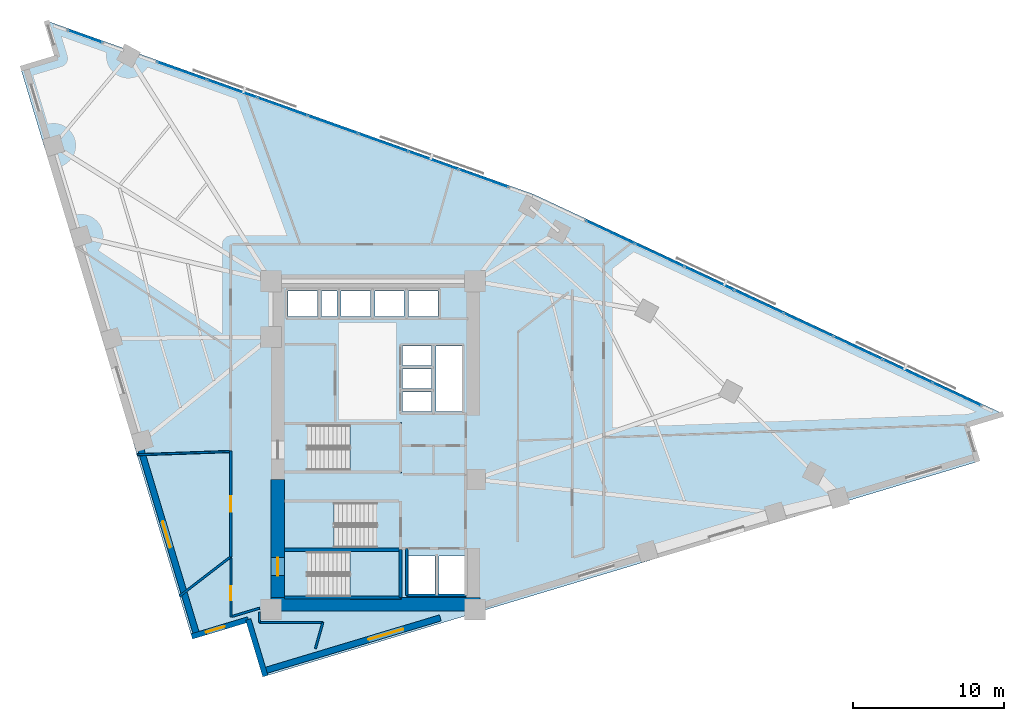
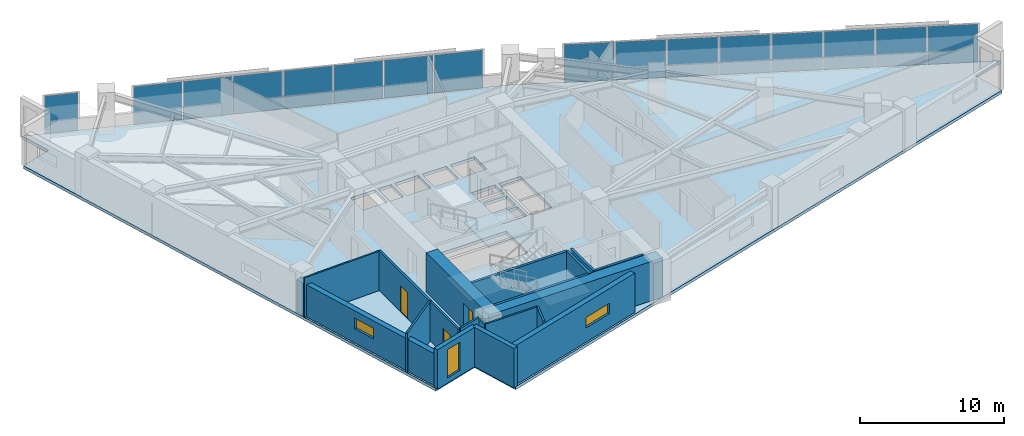
# One storey, part 9 of 15: 19 walls, 16 plates, 4 slabs, 3 doors, 3 windows, 6 openings, 6 elements without a shape of their own.
"""IFC4 building model written with IfcOpenShell, lengths in metres."""

import ifcopenshell
import ifcopenshell.guid

model = None  # the IFC model being written
_history = None  # IfcOwnerHistory: only IFC2X3 demands one
_inside = {}  # id of a spatial element -> (the spatial element, [elements in it])
_under = {}  # id of a project, library or spatial element -> (it, [spatial elements below it])
_declared = {}  # id of a project -> (the project, [libraries it declares])
_typed = {}  # id of a type object -> (the type object, [elements of that type])
_made_of = {}  # id of a material, layer set ... -> (it, [elements and type objects made of it])


def new_model(schema):
    """Start an empty IFC model of exactly this schema.

    Asked for "IFC4X3", IfcOpenShell would pick the latest addendum, in which some entities
    have other attributes; the version numbers below select the first issue.
    IFC2X3 requires an IfcOwnerHistory on every rooted entity: one is made here for all.
    """
    global model, _history
    if schema == "IFC4X3":
        model = ifcopenshell.file(schema_version=(4, 3, 0, 0))
    else:
        model = ifcopenshell.file(schema=schema)
    _inside.clear()
    _under.clear()
    _declared.clear()
    _typed.clear()
    _made_of.clear()
    _history = None
    if model.schema == "IFC2X3":
        org = make("IfcOrganization", Name="unknown")
        user = make(
            "IfcPersonAndOrganization",
            ThePerson=make("IfcPerson", FamilyName="unknown"),
            TheOrganization=org,
        )
        app = make(
            "IfcApplication",
            ApplicationDeveloper=org,
            Version="unknown",
            ApplicationFullName="unknown",
            ApplicationIdentifier="unknown",
        )
        _history = make(
            "IfcOwnerHistory",
            OwningUser=user,
            OwningApplication=app,
            ChangeAction="ADDED",
            CreationDate=0,
        )
    return model


def make(cls, **values):
    """One entity of the class cls with the attributes given. An attribute that is None is left unset."""
    return model.create_entity(
        cls, **{name: value for name, value in values.items() if value is not None}
    )


def rooted(cls, **values):
    """An entity with a GlobalId (a new one), such as an element, a storey or a relation."""
    return make(cls, GlobalId=ifcopenshell.guid.new(), OwnerHistory=_history, **values)


def si_unit(unit_type, name, prefix=None):
    """IfcSIUnit, for example si_unit("LENGTHUNIT", "METRE", prefix="MILLI")."""
    return make("IfcSIUnit", UnitType=unit_type, Prefix=prefix, Name=name)


def assignment(units):
    """IfcUnitAssignment: the units of a project."""
    return None if units is None else make("IfcUnitAssignment", Units=units)


def point(xyz):
    """IfcCartesianPoint."""
    return None if xyz is None else make("IfcCartesianPoint", Coordinates=xyz)


def direction(xyz):
    """IfcDirection."""
    return None if xyz is None else make("IfcDirection", DirectionRatios=xyz)


def frame(location, z_axis=None, x_axis=None):
    """IfcAxis2Placement3D, a coordinate frame: its origin and axes. An axis left out is left unset."""
    return make(
        "IfcAxis2Placement3D",
        Location=point(location),
        Axis=direction(z_axis),
        RefDirection=direction(x_axis),
    )


def frame_2d(location, x_axis=None):
    """IfcAxis2Placement2D, a coordinate frame in the plane: its origin and x axis."""
    return make(
        "IfcAxis2Placement2D", Location=point(location), RefDirection=direction(x_axis)
    )


def origin():
    """The frame at (0, 0, 0) with its axes left unset."""
    return frame((0.0, 0.0, 0.0))


def origin_2d():
    """The frame at (0, 0) in the plane with its x axis left unset."""
    return frame_2d((0.0, 0.0))


def place(relative_to, where):
    """IfcLocalPlacement: puts the frame where relative to a parent placement (None: the world)."""
    return make(
        "IfcLocalPlacement", PlacementRelTo=relative_to, RelativePlacement=where
    )


def context(
    kind, dimensions, precision=None, world=None, true_north=None, identifier=None
):
    """IfcGeometricRepresentationContext, for example the 3D "Model" context."""
    return make(
        "IfcGeometricRepresentationContext",
        ContextIdentifier=identifier,
        ContextType=kind,
        CoordinateSpaceDimension=dimensions,
        Precision=precision,
        WorldCoordinateSystem=world,
        TrueNorth=true_north,
    )


def subcontext(parent, identifier, kind, view, scale=None):
    """IfcGeometricRepresentationSubContext, for example "Body" below "Model"."""
    return make(
        "IfcGeometricRepresentationSubContext",
        ContextIdentifier=identifier,
        ContextType=kind,
        ParentContext=parent,
        TargetScale=scale,
        TargetView=view,
    )


def project(units=None, contexts=None):
    """IfcProject with its units and contexts."""
    return rooted(
        "IfcProject",
        Name="project",
        RepresentationContexts=contexts,
        UnitsInContext=assignment(units),
    )


def spatial(cls, under=None, at=None, **own):
    """A site, building, storey or space (cls), placed at a placement, below another one or the project."""
    s = rooted(cls, ObjectPlacement=at, **own)
    if under is not None:
        _under.setdefault(under.id(), (under, []))[1].append(s)
    return s


def polyline(points):
    """IfcPolyline through the points."""
    return make("IfcPolyline", Points=[point(p) for p in points])


def profile(cls, at=None, kind="AREA", **sizes):
    """A parametric profile (cls). Its sizes go by their IFC names, for example OverallWidth=200.0."""
    return make(cls, ProfileType=kind, Position=at, **sizes)


def rectangle(**sizes):
    """IfcRectangleProfileDef."""
    return profile("IfcRectangleProfileDef", **sizes)


def outline(outer, holes=None, kind="AREA"):
    """IfcArbitraryClosedProfileDef: a profile drawn as a closed curve; with holes, ...WithVoids."""
    if holes is None:
        return make("IfcArbitraryClosedProfileDef", ProfileType=kind, OuterCurve=outer)
    return make(
        "IfcArbitraryProfileDefWithVoids",
        ProfileType=kind,
        OuterCurve=outer,
        InnerCurves=holes,
    )


def extrude(swept, where, along, depth):
    """IfcExtrudedAreaSolid: the profile swept, set in the frame where, extruded along a direction by depth."""
    return make(
        "IfcExtrudedAreaSolid",
        SweptArea=swept,
        Position=where,
        ExtrudedDirection=direction(along),
        Depth=depth,
    )


def shape(context_of_items, identifier, shape_type, items):
    """IfcShapeRepresentation: the items that make up one representation, for example the "Body"."""
    return make(
        "IfcShapeRepresentation",
        ContextOfItems=context_of_items,
        RepresentationIdentifier=identifier,
        RepresentationType=shape_type,
        Items=items,
    )


def material(Name=None, Category=None):
    """IfcMaterial."""
    return make("IfcMaterial", Name=Name, Category=Category)


def layer(
    of_material, thickness, ventilated=None, Name=None, Category=None, Priority=None
):
    """IfcMaterialLayer: one layer of a wall or slab, of a material (None: an air gap)."""
    return make(
        "IfcMaterialLayer",
        Material=of_material,
        LayerThickness=thickness,
        IsVentilated=ventilated,
        Name=Name,
        Category=Category,
        Priority=Priority,
    )


def layer_set(layers, Name=None):
    """IfcMaterialLayerSet."""
    return make("IfcMaterialLayerSet", MaterialLayers=layers, LayerSetName=Name)


def made_of(thing, what):
    """Note that an element or type object is made of a material, layer set ...; save() writes the relation."""
    if what is not None:
        _made_of.setdefault(what.id(), (what, []))[1].append(thing)
    return thing


def type_object(cls, material=None, **own):
    """A type object (cls), such as IfcWallType, which elements share."""
    return made_of(rooted(cls, **own), material)


def element(
    cls,
    number,
    at=None,
    inside=None,
    cuts=None,
    type_object=None,
    material=None,
    context=None,
    identifier="Body",
    shape_type=None,
    held_by="IfcProductDefinitionShape",
    body=None,
    shapes=None,
    **own,
):
    """One element of the class cls, such as IfcWall. Its Tag is "e" and its number.

    at: its placement. inside: the storey or other place that contains it. cuts: it is an
    opening in that element (IfcRelVoidsElement). A single representation is given by context,
    identifier, shape_type and body (its items); several are given by shapes. held_by: the class
    of the entity that holds the representations. save() writes the other relations.
    """
    e = rooted(cls, Tag="e%d" % number, ObjectPlacement=at, **own)
    if body is not None:
        shapes = [shape(context, identifier, shape_type, body)]
    if shapes is not None:
        e.Representation = make(held_by, Representations=shapes)
    if inside is not None:
        _inside.setdefault(inside.id(), (inside, []))[1].append(e)
    if cuts is not None:
        rooted(
            "IfcRelVoidsElement", RelatingBuildingElement=cuts, RelatedOpeningElement=e
        )
    if type_object is not None:
        _typed.setdefault(type_object.id(), (type_object, []))[1].append(e)
    return made_of(e, material)


def fill(opening, filler):
    """IfcRelFillsElement: the door or window that sits in an opening."""
    return rooted(
        "IfcRelFillsElement",
        RelatingOpeningElement=opening,
        RelatedBuildingElement=filler,
    )


def aggregate(whole, parts):
    """IfcRelAggregates: a whole, such as a stair, and the parts it consists of."""
    return rooted("IfcRelAggregates", RelatingObject=whole, RelatedObjects=parts)


def save(model, path):
    """Write the relations noted so far, then the file.

    IfcRelAggregates (storeys below a building ...), IfcRelContainedInSpatialStructure (elements
    in a storey), IfcRelDefinesByType, IfcRelAssociatesMaterial and IfcRelDeclares: one each for
    every whole, place, type object, material and project.
    """
    for whole, parts in _under.values():
        aggregate(whole, parts)
    for where, things in _inside.values():
        rooted(
            "IfcRelContainedInSpatialStructure",
            RelatedElements=things,
            RelatingStructure=where,
        )
    for kind, things in _typed.values():
        rooted("IfcRelDefinesByType", RelatedObjects=things, RelatingType=kind)
    for what, things in _made_of.values():
        rooted("IfcRelAssociatesMaterial", RelatedObjects=things, RelatingMaterial=what)
    for by, libraries in _declared.values():
        rooted("IfcRelDeclares", RelatingContext=by, RelatedDefinitions=libraries)
    model.write(path)


model = new_model("IFC4")

# Units and contexts
model_context = context("Model", 3, precision=1e-05, world=origin(), true_north=direction((0.0, 1.0)))
body_context = subcontext(model_context, "Body", "Model", "MODEL_VIEW")
ifc_project = project(units=[si_unit("LENGTHUNIT", "METRE"), si_unit("AREAUNIT", "SQUARE_METRE"), si_unit("VOLUMEUNIT", "CUBIC_METRE"), si_unit("PLANEANGLEUNIT", "RADIAN"), si_unit("MASSUNIT", "GRAM", prefix="KILO")], contexts=[model_context])

# Site, building, storey
site_placement = place(None, origin())
site = spatial("IfcSite", under=ifc_project, at=site_placement, CompositionType="ELEMENT")
building_placement = place(site_placement, origin())
building = spatial("IfcBuilding", under=site, at=building_placement, Name="Narakoshi Arena Tower", CompositionType="ELEMENT")
storey_placement = place(building_placement, frame((0.0, 0.0, 143.10009765625)))
storey = spatial("IfcBuildingStorey", under=building, at=storey_placement, Name="L38", CompositionType="ELEMENT", Elevation=143.10009765625)

# Curtain wall, plates
ifc_material_1 = material(Name="Anodised bronze aluminium 6063-T6", Category="aluminium")
curtain_wall_type = type_object("IfcCurtainWallType", Name="CW-HYP-MID", PredefinedType="NOTDEFINED", material=ifc_material_1)
curtain_wall_1_placement = place(storey_placement, origin())
curtain_wall_1 = element("IfcCurtainWall", 1, at=curtain_wall_1_placement, inside=storey, type_object=curtain_wall_type, Name="L38 Folded Hypotenuse Curtain Wall 1-1", PredefinedType="NOTDEFINED")
ifc_material_2 = material(Name="Bronze-tinted low-E laminated glass", Category="glass")
ifc_layer_1 = layer(ifc_material_2, 0.0380859375)
ifc_layer_set_1 = layer_set([ifc_layer_1], Name="Bronze-tinted low-E laminated glass")
plate_type = type_object("IfcPlateType", Name="PLT-GLZ-38", PredefinedType="CURTAIN_PANEL", material=ifc_layer_set_1)
plate_1_placement = place(storey_placement, frame((117.545166015625, 49.0, 0.06494140625), z_axis=(0.0, 0.0, 1.0), x_axis=(-0.905881273009, 0.423531721612, 0.0)))
plate_1 = element("IfcPlate", 2, at=plate_1_placement, type_object=plate_type, Name="CW-02 panel 1.1", PredefinedType="CURTAIN_PANEL", context=body_context, shape_type="SweptSolid", body=[
    extrude(rectangle(XDim=3.52099609375, YDim=0.0380859375, at=origin_2d()), origin(), (0.0, 0.0, 1.0), 3.2099609375),
])
plate_2_placement = place(storey_placement, frame((114.270751953125, 50.531005859375, 0.06494140625), z_axis=(0.0, 0.0, 1.0), x_axis=(-0.905881273009, 0.423531721612, 0.0)))
plate_2 = element("IfcPlate", 3, at=plate_2_placement, type_object=plate_type, Name="CW-02 panel 2.1", PredefinedType="CURTAIN_PANEL", context=body_context, shape_type="SweptSolid", body=[
    extrude(rectangle(XDim=3.558349609375, YDim=0.0380859375, at=origin_2d()), origin(), (0.0, 0.0, 1.0), 3.2099609375),
])
plate_3_placement = place(storey_placement, frame((110.979248046875, 52.06982421875, 0.06494140625), z_axis=(0.0, 0.0, 1.0), x_axis=(-0.905881273009, 0.423531721612, 0.0)))
plate_3 = element("IfcPlate", 4, at=plate_3_placement, type_object=plate_type, Name="CW-02 panel 3.1", PredefinedType="CURTAIN_PANEL", context=body_context, shape_type="SweptSolid", body=[
    extrude(rectangle(XDim=3.558349609375, YDim=0.0380859375, at=origin_2d()), origin(), (0.0, 0.0, 1.0), 3.2099609375),
])
plate_4_placement = place(storey_placement, frame((107.687744140625, 53.60888671875, 0.06494140625), z_axis=(0.0, 0.0, 1.0), x_axis=(-0.905881273009, 0.423531721612, 0.0)))
plate_4 = element("IfcPlate", 5, at=plate_4_placement, type_object=plate_type, Name="CW-02 panel 4.1", PredefinedType="CURTAIN_PANEL", context=body_context, shape_type="SweptSolid", body=[
    extrude(rectangle(XDim=3.558349609375, YDim=0.0380859375, at=origin_2d()), origin(), (0.0, 0.0, 1.0), 3.2099609375),
])
plate_5_placement = place(storey_placement, frame((104.396240234375, 55.147705078125, 0.06494140625), z_axis=(0.0, 0.0, 1.0), x_axis=(-0.905881273009, 0.423531721612, 0.0)))
plate_5 = element("IfcPlate", 6, at=plate_5_placement, type_object=plate_type, Name="CW-02 panel 5.1", PredefinedType="CURTAIN_PANEL", context=body_context, shape_type="SweptSolid", body=[
    extrude(rectangle(XDim=3.558349609375, YDim=0.0380859375, at=origin_2d()), origin(), (0.0, 0.0, 1.0), 3.2099609375),
])
plate_6_placement = place(storey_placement, frame((101.104736328125, 56.6865234375, 0.06494140625), z_axis=(0.0, 0.0, 1.0), x_axis=(-0.905881273009, 0.423531721612, 0.0)))
plate_6 = element("IfcPlate", 7, at=plate_6_placement, type_object=plate_type, Name="CW-02 panel 6.1", PredefinedType="CURTAIN_PANEL", context=body_context, shape_type="SweptSolid", body=[
    extrude(rectangle(XDim=3.558349609375, YDim=0.0380859375, at=origin_2d()), origin(), (0.0, 0.0, 1.0), 3.2099609375),
])
plate_7_placement = place(storey_placement, frame((97.813232421875, 58.2255859375, 0.06494140625), z_axis=(0.0, 0.0, 1.0), x_axis=(-0.905881273009, 0.423531721612, 0.0)))
plate_7 = element("IfcPlate", 8, at=plate_7_placement, type_object=plate_type, Name="CW-02 panel 7.1", PredefinedType="CURTAIN_PANEL", context=body_context, shape_type="SweptSolid", body=[
    extrude(rectangle(XDim=3.558349609375, YDim=0.0380859375, at=origin_2d()), origin(), (0.0, 0.0, 1.0), 3.2099609375),
])
plate_8_placement = place(storey_placement, frame((94.538818359375, 59.75634765625, 0.06494140625), z_axis=(0.0, 0.0, 1.0), x_axis=(-0.905881273009, 0.423531721612, 0.0)))
plate_8 = element("IfcPlate", 9, at=plate_8_placement, type_object=plate_type, Name="CW-02 panel 8.1", PredefinedType="CURTAIN_PANEL", context=body_context, shape_type="SweptSolid", body=[
    extrude(rectangle(XDim=3.52099609375, YDim=0.0380859375, at=origin_2d()), origin(), (0.0, 0.0, 1.0), 3.2099609375),
])
aggregate(curtain_wall_1, [plate_1, plate_2, plate_3, plate_4, plate_5, plate_6, plate_7, plate_8])

curtain_wall_2_placement = place(storey_placement, origin())
curtain_wall_2 = element("IfcCurtainWall", 10, at=curtain_wall_2_placement, inside=storey, type_object=curtain_wall_type, Name="L38 Folded Hypotenuse Curtain Wall 2-1", PredefinedType="NOTDEFINED")
plate_9_placement = place(storey_placement, frame((86.125244140625, 63.327880859375, 0.06494140625), z_axis=(0.0, 0.0, 1.0), x_axis=(-0.94203368957, 0.335518297139, 0.0)))
plate_9 = element("IfcPlate", 11, at=plate_9_placement, type_object=plate_type, Name="CW-02 panel 1.1", PredefinedType="CURTAIN_PANEL", context=body_context, shape_type="SweptSolid", body=[
    extrude(rectangle(XDim=3.437744140625, YDim=0.0380859375, at=origin_2d()), origin(), (0.0, 0.0, 1.0), 3.2099609375),
])
plate_10_placement = place(storey_placement, frame((82.79833984375, 64.512939453125, 0.06494140625), z_axis=(0.0, 0.0, 1.0), x_axis=(-0.94203368957, 0.335518297139, 0.0)))
plate_10 = element("IfcPlate", 12, at=plate_10_placement, type_object=plate_type, Name="CW-02 panel 2.1", PredefinedType="CURTAIN_PANEL", context=body_context, shape_type="SweptSolid", body=[
    extrude(rectangle(XDim=3.475341796875, YDim=0.0380859375, at=origin_2d()), origin(), (0.0, 0.0, 1.0), 3.2099609375),
])
plate_11_placement = place(storey_placement, frame((79.453857421875, 65.7041015625, 0.06494140625), z_axis=(0.0, 0.0, 1.0), x_axis=(-0.94203368957, 0.335518297139, 0.0)))
plate_11 = element("IfcPlate", 13, at=plate_11_placement, type_object=plate_type, Name="CW-02 panel 3.1", PredefinedType="CURTAIN_PANEL", context=body_context, shape_type="SweptSolid", body=[
    extrude(rectangle(XDim=3.475341796875, YDim=0.0380859375, at=origin_2d()), origin(), (0.0, 0.0, 1.0), 3.2099609375),
])
plate_12_placement = place(storey_placement, frame((76.109130859375, 66.895263671875, 0.06494140625), z_axis=(0.0, 0.0, 1.0), x_axis=(-0.94203368957, 0.335518297139, 0.0)))
plate_12 = element("IfcPlate", 14, at=plate_12_placement, type_object=plate_type, Name="CW-02 panel 4.1", PredefinedType="CURTAIN_PANEL", context=body_context, shape_type="SweptSolid", body=[
    extrude(rectangle(XDim=3.475341796875, YDim=0.0380859375, at=origin_2d()), origin(), (0.0, 0.0, 1.0), 3.2099609375),
])
plate_13_placement = place(storey_placement, frame((72.7646484375, 68.08642578125, 0.06494140625), z_axis=(0.0, 0.0, 1.0), x_axis=(-0.94203368957, 0.335518297139, 0.0)))
plate_13 = element("IfcPlate", 15, at=plate_13_placement, type_object=plate_type, Name="CW-02 panel 5.1", PredefinedType="CURTAIN_PANEL", context=body_context, shape_type="SweptSolid", body=[
    extrude(rectangle(XDim=3.475341796875, YDim=0.0380859375, at=origin_2d()), origin(), (0.0, 0.0, 1.0), 3.2099609375),
])
plate_14_placement = place(storey_placement, frame((69.420166015625, 69.277587890625, 0.06494140625), z_axis=(0.0, 0.0, 1.0), x_axis=(-0.94203368957, 0.335518297139, 0.0)))
plate_14 = element("IfcPlate", 16, at=plate_14_placement, type_object=plate_type, Name="CW-02 panel 6.1", PredefinedType="CURTAIN_PANEL", context=body_context, shape_type="SweptSolid", body=[
    extrude(rectangle(XDim=3.475341796875, YDim=0.0380859375, at=origin_2d()), origin(), (0.0, 0.0, 1.0), 3.2099609375),
])
plate_15_placement = place(storey_placement, frame((66.09326171875, 70.462646484375, 0.06494140625), z_axis=(0.0, 0.0, 1.0), x_axis=(-0.94203368957, 0.335518297139, 0.0)))
plate_15 = element("IfcPlate", 17, at=plate_15_placement, type_object=plate_type, Name="CW-02 panel 7.1", PredefinedType="CURTAIN_PANEL", context=body_context, shape_type="SweptSolid", body=[
    extrude(rectangle(XDim=3.437744140625, YDim=0.0380859375, at=origin_2d()), origin(), (0.0, 0.0, 1.0), 3.2099609375),
])
aggregate(curtain_wall_2, [plate_9, plate_10, plate_11, plate_12, plate_13, plate_14, plate_15])

# Curtain wall, plate
curtain_wall_3_placement = place(storey_placement, origin())
curtain_wall_3 = element("IfcCurtainWall", 18, at=curtain_wall_3_placement, inside=storey, type_object=curtain_wall_type, Name="L38 Folded Hypotenuse Curtain Wall 2-2", PredefinedType="NOTDEFINED")
plate_16_placement = place(storey_placement, frame((59.671142578125, 72.75, 0.06494140625), z_axis=(0.0, 0.0, 1.0), x_axis=(-0.942025293591, 0.335541869571, 0.0)))
plate_16 = element("IfcPlate", 19, at=plate_16_placement, type_object=plate_type, Name="CW-02 panel 1.1", PredefinedType="CURTAIN_PANEL", context=body_context, shape_type="SweptSolid", body=[
    extrude(rectangle(XDim=2.3779296875, YDim=0.0380859375, at=origin_2d()), origin(), (0.0, 0.0, 1.0), 3.2099609375),
])
aggregate(curtain_wall_3, [plate_16])

# Stair, slab
ifc_material_3 = material(Name="Concrete C45/55", Category="concrete")
stair_type = type_object("IfcStairType", Name="STR-CORE-360", PredefinedType="TWO_STRAIGHT_RUN_STAIR", material=ifc_material_3)
stair_1_placement = place(storey_placement, origin())
stair_1 = element("IfcStair", 20, at=stair_1_placement, inside=storey, type_object=stair_type, Name="L38 Core Escape Stair ST1", PredefinedType="TWO_STRAIGHT_RUN_STAIR")
ifc_layer_2 = layer(ifc_material_3, 0.18994140625)
ifc_layer_set_2 = layer_set([ifc_layer_2], Name="Concrete C45/55")
slab_type_1 = type_object("IfcSlabType", Name="SLB-LND-190", PredefinedType="LANDING", material=ifc_layer_set_2)
slab_1_placement = place(storey_placement, frame((0.0, 0.0, 1.60986328125)))
slab_1 = element("IfcSlab", 21, at=slab_1_placement, type_object=slab_type_1, Name="ST1 landing 1", PredefinedType="LANDING", context=body_context, shape_type="SweptSolid", body=[
    extrude(outline(polyline([(77.25, 35.3701171875), (80.679931640625, 35.3701171875), (80.679931640625, 38.72998046875), (77.25, 38.72998046875), (77.25, 35.3701171875)])), origin(), (0.0, 0.0, 1.0), 0.18994140625),
])
aggregate(stair_1, [slab_1])

stair_2_placement = place(storey_placement, origin())
stair_2 = element("IfcStair", 22, at=stair_2_placement, inside=storey, type_object=stair_type, Name="L38 Core Escape Stair ST2", PredefinedType="TWO_STRAIGHT_RUN_STAIR")
slab_2_placement = place(storey_placement, frame((0.0, 0.0, 1.60986328125)))
slab_2 = element("IfcSlab", 23, at=slab_2_placement, type_object=slab_type_1, Name="ST2 landing 1", PredefinedType="LANDING", context=body_context, shape_type="SweptSolid", body=[
    extrude(outline(polyline([(72.77001953125, 38.6201171875), (76.199951171875, 38.6201171875), (76.199951171875, 41.97998046875), (72.77001953125, 41.97998046875), (72.77001953125, 38.6201171875)])), origin(), (0.0, 0.0, 1.0), 0.18994140625),
])
aggregate(stair_2, [slab_2])

stair_3_placement = place(storey_placement, origin())
stair_3 = element("IfcStair", 24, at=stair_3_placement, inside=storey, type_object=stair_type, Name="L38 Core Escape Stair ST3", PredefinedType="TWO_STRAIGHT_RUN_STAIR")
slab_3_placement = place(storey_placement, frame((0.0, 0.0, 1.60986328125)))
slab_3 = element("IfcSlab", 25, at=slab_3_placement, type_object=slab_type_1, Name="ST3 landing 1", PredefinedType="LANDING", context=body_context, shape_type="SweptSolid", body=[
    extrude(outline(polyline([(77.25, 43.77001953125), (80.679931640625, 43.77001953125), (80.679931640625, 47.1298828125), (77.25, 47.1298828125), (77.25, 43.77001953125)])), origin(), (0.0, 0.0, 1.0), 0.18994140625),
])
aggregate(stair_3, [slab_3])

# Slab
ifc_material_4 = material(Name="Concrete C50/60", Category="concrete")
ifc_layer_3 = layer(ifc_material_4, 0.260009765625)
ifc_layer_set_3 = layer_set([ifc_layer_3], Name="Concrete C50/60")
slab_type_2 = type_object("IfcSlabType", Name="SLB-SKY-260", PredefinedType="FLOOR", material=ifc_layer_set_3)
slab_4_placement = place(storey_placement, frame((0.0, 0.0, -0.260009765625)))
element("IfcSlab", 26, at=slab_4_placement, inside=storey, type_object=slab_type_2, Name="L38 Structural Floor Slab", PredefinedType="FLOOR", context=body_context, shape_type="SweptSolid", body=[
    extrude(outline(polyline([(71.635498046875, 30.28857421875), (118.908935546875, 44.51611328125), (118.17333984375, 46.96044921875), (120.61767578125, 47.696044921875), (89.422119140625, 62.281005859375), (57.107666015625, 73.790283203125), (57.84326171875, 71.34619140625), (55.39892578125, 70.610595703125), (66.743408203125, 32.917236328125), (70.50390625, 34.048828125), (71.635498046875, 30.28857421875)]), holes=[polyline([(80.5, 35.550048828125), (74.47998046875, 35.550048828125), (74.47998046875, 38.550048828125), (80.5, 38.550048828125), (80.5, 35.550048828125)]), polyline([(82.89990234375, 35.75), (81.14990234375, 35.75), (81.14990234375, 38.25), (82.89990234375, 38.25), (82.89990234375, 35.75)]), polyline([(83.14990234375, 35.75), (83.14990234375, 38.25), (84.89990234375, 38.25), (84.89990234375, 35.75), (83.14990234375, 35.75)]), polyline([(72.949951171875, 38.800048828125), (72.949951171875, 41.800048828125), (78.969970703125, 41.800048828125), (78.969970703125, 38.800048828125), (72.949951171875, 38.800048828125)]), polyline([(74.47998046875, 43.949951171875), (74.47998046875, 46.949951171875), (80.5, 46.949951171875), (80.5, 43.949951171875), (74.47998046875, 43.949951171875)]), polyline([(82.949951171875, 47.840087890625), (82.949951171875, 52.199951171875), (84.699951171875, 52.199951171875), (84.699951171875, 47.840087890625), (82.949951171875, 47.840087890625)]), polyline([(80.75, 47.85009765625), (80.75, 49.14990234375), (82.64990234375, 49.14990234375), (82.64990234375, 47.85009765625), (80.75, 47.85009765625)]), polyline([(80.75, 49.3701171875), (80.75, 50.669921875), (82.64990234375, 50.669921875), (82.64990234375, 49.3701171875), (80.75, 49.3701171875)]), polyline([(80.75, 50.889892578125), (80.75, 52.18994140625), (82.64990234375, 52.18994140625), (82.64990234375, 50.889892578125), (80.75, 50.889892578125)]), polyline([(73.14990234375, 54.14990234375), (73.14990234375, 55.85009765625), (75.10009765625, 55.85009765625), (75.10009765625, 54.14990234375), (73.14990234375, 54.14990234375)]), polyline([(75.35009765625, 54.14990234375), (75.35009765625, 55.85009765625), (76.39990234375, 55.85009765625), (76.39990234375, 54.14990234375), (75.35009765625, 54.14990234375)]), polyline([(76.64990234375, 54.14990234375), (76.64990234375, 55.85009765625), (78.60009765625, 55.85009765625), (78.60009765625, 54.14990234375), (76.64990234375, 54.14990234375)]), polyline([(78.89990234375, 54.14990234375), (78.89990234375, 55.85009765625), (80.85009765625, 55.85009765625), (80.85009765625, 54.14990234375), (78.89990234375, 54.14990234375)]), polyline([(81.14990234375, 54.14990234375), (81.14990234375, 55.85009765625), (83.10009765625, 55.85009765625), (83.10009765625, 54.14990234375), (81.14990234375, 54.14990234375)])]), origin(), (0.0, 0.0, 1.0), 0.260009765625),
])

# Wall, opening, door
ifc_material_5 = material(Name="Concrete C60/75", Category="concrete")
ifc_layer_4 = layer(ifc_material_5, 0.89990234375)
ifc_layer_set_4 = layer_set([ifc_layer_4], Name="Concrete C60/75")
wall_type_1 = type_object("IfcWallType", Name="WL-CORE-900", PredefinedType="SHEAR", material=ifc_layer_set_4)
wall_1_placement = place(storey_placement, frame((72.449951171875, 35.5, -0.260009765625), z_axis=(0.0, 0.0, 1.0), x_axis=(0.0, 1.0, 0.0)))
wall_1 = element("IfcWall", 27, at=wall_1_placement, inside=storey, type_object=wall_type_1, Name="L38 Central Core Shear Wall CW-APX-W", PredefinedType="SHEAR", context=body_context, shape_type="SweptSolid", body=[
    extrude(rectangle(XDim=7.85009765625, YDim=0.89990234375, at=frame_2d((3.925048828125, 0.0))), origin(), (0.0, 0.0, 1.0), 3.599853515625),
])
opening_1_placement = place(wall_1_placement, frame((1.449951171875, 0.0, 0.260009765625)))
opening_1 = element("IfcOpeningElement", 28, at=opening_1_placement, cuts=wall_1, Name="Opening D-03", PredefinedType="OPENING", context=body_context, shape_type="SweptSolid", body=[
    extrude(rectangle(XDim=1.199951171875, YDim=2.199951171875, at=frame_2d((0.60009765625, 1.10009765625))), frame((0.0, 0.4599609375, 0.0), z_axis=(0.0, -1.0, 0.0), x_axis=(1.0, 0.0, 0.0)), (0.0, 0.0, 1.0), 0.919921875),
])
ifc_material_6 = material(Name="Painted galvanized steel", Category="steel")
door_type_1 = type_object("IfcDoorType", Name="DR-STR-1200", OperationType="NOTDEFINED", PredefinedType="USERDEFINED", material=ifc_material_6)
door_1_placement = place(opening_1_placement, frame((1.199951171875, 0.0, 0.0), z_axis=(0.0, 0.0, 1.0), x_axis=(-1.0, 0.0, 0.0)))
door_1 = element("IfcDoor", 29, at=door_1_placement, inside=storey, type_object=door_type_1, Name="DR-L38-001", ObjectType="EXITDOOR", OperationType="SINGLE_SWING_LEFT", OverallHeight=2.199951171875, OverallWidth=1.199951171875, PredefinedType="USERDEFINED", context=body_context, shape_type="SweptSolid", body=[
    extrude(rectangle(XDim=1.199951171875, YDim=2.199951171875, at=frame_2d((0.60009765625, 1.10009765625))), frame((0.0, 0.02490234375, 0.0), z_axis=(0.0, -1.0, 0.0), x_axis=(1.0, 0.0, 0.0)), (0.0, 0.0, 1.0), 0.050048828125),
])
fill(opening_1, door_1)

# Wall
wall_2_placement = place(storey_placement, frame((72.0, 35.050048828125, -0.260009765625), z_axis=(0.0, 0.0, 1.0), x_axis=(1.0, 0.0, 0.0)))
element("IfcWall", 30, at=wall_2_placement, inside=storey, type_object=wall_type_1, Name="L38 Central Core Shear Wall CW-APX-S", PredefinedType="SHEAR", context=body_context, shape_type="SweptSolid", body=[
    extrude(rectangle(XDim=13.89990234375, YDim=0.89990234375, at=frame_2d((6.949951171875, 0.0))), origin(), (0.0, 0.0, 1.0), 3.599853515625),
])

# Wall, opening, door
ifc_material_7 = material(Name="Gypsum plasterboard fire-rated partition")
ifc_layer_5 = layer(ifc_material_7, 0.1650390625)
ifc_layer_set_5 = layer_set([ifc_layer_5], Name="Gypsum plasterboard fire-rated partition")
wall_type_2 = type_object("IfcWallType", Name="WL-CORR-165", PredefinedType="PARTITIONING", material=ifc_layer_set_5)
wall_3_placement = place(storey_placement, frame((69.344970703125, 45.23291015625, 0.0), z_axis=(0.0, 0.0, 1.0), x_axis=(0.0, -1.0, 0.0)))
wall_3 = element("IfcWall", 31, at=wall_3_placement, inside=storey, type_object=wall_type_2, Name="L38 Corridor Partition 01-1", PredefinedType="PARTITIONING", context=body_context, shape_type="SweptSolid", body=[
    extrude(rectangle(XDim=7.044677734375, YDim=0.1650390625, at=frame_2d((3.5224609375, 0.0))), origin(), (0.0, 0.0, 1.0), 3.33984375),
])
opening_2_placement = place(wall_3_placement, frame((3.022216796875, 0.0, 0.0)))
opening_2 = element("IfcOpeningElement", 32, at=opening_2_placement, cuts=wall_3, Name="Opening D-06", PredefinedType="OPENING", context=body_context, shape_type="SweptSolid", body=[
    extrude(rectangle(XDim=1.0, YDim=2.199951171875, at=frame_2d((0.5, 1.10009765625))), frame((0.0, 0.092529296875, 0.0), z_axis=(0.0, -1.0, 0.0), x_axis=(1.0, 0.0, 0.0)), (0.0, 0.0, 1.0), 0.18505859375),
])
ifc_material_8 = material(Name="Stained oak solid-core timber", Category="wood")
door_type_2 = type_object("IfcDoorType", Name="DR-OFF-1000", OperationType="NOTDEFINED", PredefinedType="DOOR", material=ifc_material_8)
door_2_placement = place(opening_2_placement, frame((1.0, 0.0, 0.0), z_axis=(0.0, 0.0, 1.0), x_axis=(-1.0, 0.0, 0.0)))
door_2 = element("IfcDoor", 33, at=door_2_placement, inside=storey, type_object=door_type_2, Name="DR-L38-014", OperationType="SINGLE_SWING_RIGHT", OverallHeight=2.199951171875, OverallWidth=1.0, PredefinedType="DOOR", context=body_context, shape_type="SweptSolid", body=[
    extrude(rectangle(XDim=1.0, YDim=2.199951171875, at=frame_2d((0.5, 1.10009765625))), frame((0.0, 0.02490234375, 0.0), z_axis=(0.0, -1.0, 0.0), x_axis=(1.0, 0.0, 0.0)), (0.0, 0.0, 1.0), 0.050048828125),
])
fill(opening_2, door_2)

# Wall
ifc_layer_6 = layer(ifc_material_7, 0.125)
ifc_layer_set_6 = layer_set([ifc_layer_6], Name="Gypsum plasterboard fire-rated partition")
wall_type_3 = type_object("IfcWallType", Name="WL-PART-125", PredefinedType="PARTITIONING", material=ifc_layer_set_6)
wall_4_placement = place(storey_placement, frame((63.11328125, 44.97900390625, 0.0), z_axis=(0.0, 0.0, 1.0), x_axis=(0.999389215119, 0.034945624954, 0.0)))
element("IfcWall", 34, at=wall_4_placement, inside=storey, type_object=wall_type_3, Name="L38 Inter-Room Partition 01-09", PredefinedType="PARTITIONING", context=body_context, shape_type="SweptSolid", body=[
    extrude(rectangle(XDim=6.140869140625, YDim=0.125, at=frame_2d((3.0703125, 0.0))), origin(), (0.0, 0.0, 1.0), 3.33984375),
])

# Wall, opening, window
ifc_material_9 = material(Name="Precast concrete C45/55", Category="concrete")
ifc_layer_7 = layer(ifc_material_9, 0.419921875)
ifc_layer_set_7 = layer_set([ifc_layer_7], Name="Precast concrete C45/55")
wall_type_4 = type_object("IfcWallType", Name="WL-POD-420", PredefinedType="SOLIDWALL", material=ifc_layer_set_7)
wall_5_placement = place(storey_placement, frame((71.53466796875, 30.62353515625, 0.0), z_axis=(0.0, 0.0, 1.0), x_axis=(0.957571099539, 0.288197136226, 0.0)))
wall_5 = element("IfcWall", 35, at=wall_5_placement, inside=storey, type_object=wall_type_4, Name="L38 Architectural Concrete Facade Wall LEGA-1", PredefinedType="SOLIDWALL", context=body_context, shape_type="SweptSolid", body=[
    extrude(rectangle(XDim=12.23583984375, YDim=0.419921875, at=frame_2d((6.117919921875, 0.0))), origin(), (0.0, 0.0, 1.0), 3.33984375),
])
opening_3_placement = place(wall_5_placement, frame((7.263916015625, 0.0, 1.199951171875)))
opening_3 = element("IfcOpeningElement", 36, at=opening_3_placement, cuts=wall_5, Name="Opening WN-01", PredefinedType="OPENING", context=body_context, shape_type="SweptSolid", body=[
    extrude(rectangle(XDim=2.39990234375, YDim=0.89990234375, at=frame_2d((1.199951171875, 0.449951171875))), frame((0.0, 0.219970703125, 0.0), z_axis=(0.0, -1.0, 0.0), x_axis=(1.0, 0.0, 0.0)), (0.0, 0.0, 1.0), 0.43994140625),
])
window_type_1 = type_object("IfcWindowType", Name="WIN-SLT-24x09", PartitioningType="SINGLE_PANEL", PredefinedType="WINDOW", material=ifc_material_2)
window_1_placement = place(opening_3_placement, origin())
window_1 = element("IfcWindow", 37, at=window_1_placement, inside=storey, type_object=window_type_1, Name="L38 LEGA1 Horizontal Slot Window 1", OverallHeight=0.89990234375, OverallWidth=2.39990234375, PartitioningType="SINGLE_PANEL", PredefinedType="WINDOW", context=body_context, shape_type="SweptSolid", body=[
    extrude(rectangle(XDim=2.39990234375, YDim=0.89990234375, at=frame_2d((1.199951171875, 0.449951171875))), frame((0.0, 0.030029296875, 0.0), z_axis=(0.0, -1.0, 0.0), x_axis=(1.0, 0.0, 0.0)), (0.0, 0.0, 1.0), 0.06005859375),
])
fill(opening_3, window_1)

wall_6_placement = place(storey_placement, frame((63.221435546875, 45.833740234375, 0.0), z_axis=(0.0, 0.0, 1.0), x_axis=(0.288202962273, -0.957569346072, 0.0)))
wall_6 = element("IfcWall", 38, at=wall_6_placement, inside=storey, type_object=wall_type_4, Name="L38 Architectural Concrete Facade Wall LEGB-3", PredefinedType="SOLIDWALL", context=body_context, shape_type="SweptSolid", body=[
    extrude(rectangle(XDim=13.383544921875, YDim=0.419921875, at=frame_2d((6.69189453125, 0.0))), origin(), (0.0, 0.0, 1.0), 2.724853515625),
])
opening_4_placement = place(wall_6_placement, frame((5.5166015625, 0.0, 1.199951171875)))
opening_4 = element("IfcOpeningElement", 39, at=opening_4_placement, cuts=wall_6, Name="Opening WN-02", PredefinedType="OPENING", context=body_context, shape_type="SweptSolid", body=[
    extrude(rectangle(XDim=1.800048828125, YDim=0.89990234375, at=frame_2d((0.89990234375, 0.449951171875))), frame((0.0, 0.219970703125, 0.0), z_axis=(0.0, -1.0, 0.0), x_axis=(1.0, 0.0, 0.0)), (0.0, 0.0, 1.0), 0.43994140625),
])
window_type_2 = type_object("IfcWindowType", Name="WIN-SLT-18x09", PartitioningType="SINGLE_PANEL", PredefinedType="WINDOW", material=ifc_material_2)
window_2_placement = place(opening_4_placement, origin())
window_2 = element("IfcWindow", 40, at=window_2_placement, inside=storey, type_object=window_type_2, Name="L38 LEGB3 Horizontal Slot Window 1", OverallHeight=0.89990234375, OverallWidth=1.800048828125, PartitioningType="SINGLE_PANEL", PredefinedType="WINDOW", context=body_context, shape_type="SweptSolid", body=[
    extrude(rectangle(XDim=1.800048828125, YDim=0.89990234375, at=frame_2d((0.89990234375, 0.449951171875))), frame((0.0, 0.030029296875, 0.0), z_axis=(0.0, -1.0, 0.0), x_axis=(1.0, 0.0, 0.0)), (0.0, 0.0, 1.0), 0.06005859375),
])
fill(opening_4, window_2)

wall_7_placement = place(storey_placement, frame((66.743408203125, 32.917236328125, 0.0), z_axis=(0.0, 0.0, 1.0), x_axis=(0.957584687378, 0.288151985068, 0.0)))
wall_7 = element("IfcWall", 41, at=wall_7_placement, inside=storey, type_object=wall_type_4, Name="L38 Re-Entrant Corner Notch Wall NTA-1", PredefinedType="SOLIDWALL", context=body_context, shape_type="SweptSolid", body=[
    extrude(rectangle(XDim=3.927001953125, YDim=0.360107421875, at=frame_2d((1.96337890625, 0.0))), origin(), (0.0, 0.0, 1.0), 3.33984375),
])
opening_5_placement = place(wall_7_placement, frame((0.989013671875, 0.0, 0.449951171875)))
opening_5 = element("IfcOpeningElement", 42, at=opening_5_placement, cuts=wall_7, Name="Opening WN-06", PredefinedType="OPENING", context=body_context, shape_type="SweptSolid", body=[
    extrude(rectangle(XDim=1.300048828125, YDim=2.39990234375, at=frame_2d((0.64990234375, 1.199951171875))), frame((0.0, 0.18994140625, 0.0), z_axis=(0.0, -1.0, 0.0), x_axis=(1.0, 0.0, 0.0)), (0.0, 0.0, 1.0), 0.380126953125),
])
window_type_3 = type_object("IfcWindowType", Name="WIN-NTC-16x24", PartitioningType="SINGLE_PANEL", PredefinedType="WINDOW", material=ifc_material_2)
window_3_placement = place(opening_5_placement, origin())
window_3 = element("IfcWindow", 43, at=window_3_placement, inside=storey, type_object=window_type_3, Name="L38 Corner Notch Window NTA", OverallHeight=2.39990234375, OverallWidth=1.300048828125, PartitioningType="SINGLE_PANEL", PredefinedType="WINDOW", context=body_context, shape_type="SweptSolid", body=[
    extrude(rectangle(XDim=1.300048828125, YDim=2.39990234375, at=frame_2d((0.64990234375, 1.199951171875))), frame((0.0, 0.030029296875, 0.0), z_axis=(0.0, -1.0, 0.0), x_axis=(1.0, 0.0, 0.0)), (0.0, 0.0, 1.0), 0.06005859375),
])
fill(opening_5, window_3)

# Walls
wall_8_placement = place(storey_placement, frame((70.50390625, 34.048828125, 0.0), z_axis=(0.0, 0.0, 1.0), x_axis=(0.288169140251, -0.957579524952, 0.0)))
element("IfcWall", 44, at=wall_8_placement, inside=storey, type_object=wall_type_4, Name="L38 Re-Entrant Corner Notch Wall NTA-2", PredefinedType="SOLIDWALL", context=body_context, shape_type="SweptSolid", body=[
    extrude(rectangle(XDim=3.9267578125, YDim=0.360107421875, at=frame_2d((1.96337890625, 0.0))), origin(), (0.0, 0.0, 1.0), 3.33984375),
])
ifc_layer_8 = layer(ifc_material_4, 0.35009765625)
ifc_layer_set_8 = layer_set([ifc_layer_8], Name="Concrete C50/60")
wall_type_5 = type_object("IfcWallType", Name="WL-SHAFT-350", PredefinedType="SOLIDWALL", material=ifc_layer_set_8)
for number, where, z_axis, x_axis, name in (
    (45, (72.919921875, 35.52001953125, -0.260009765625), (0.0, 0.0, 1.0), (1.0, 0.0, 0.0), "L38 Core Wall ST1-S"),
    (46, (72.919921875, 38.675048828125, -0.260009765625), (0.0, 0.0, 1.0), (1.0, 0.0, 0.0), "L38 Core Wall ST12-DIV"),
):
    element("IfcWall", number, at=place(storey_placement, frame(where, z_axis=z_axis, x_axis=x_axis)), inside=storey, type_object=wall_type_5, Name=name, PredefinedType="SOLIDWALL", context=body_context, shape_type="SweptSolid", body=[
        extrude(rectangle(XDim=7.7001953125, YDim=0.199951171875, at=frame_2d((3.85009765625, 0.0))), origin(), (0.0, 0.0, 1.0), 3.599853515625),
    ])
wall_9_placement = place(storey_placement, frame((80.6201171875, 35.52001953125, -0.260009765625), z_axis=(0.0, 0.0, 1.0), x_axis=(0.0, 1.0, 0.0)))
element("IfcWall", 47, at=wall_9_placement, inside=storey, type_object=wall_type_5, Name="L38 Core Wall ST1-E", PredefinedType="SOLIDWALL", context=body_context, shape_type="SweptSolid", body=[
    extrude(rectangle(XDim=3.155029296875, YDim=0.199951171875, at=frame_2d((1.57763671875, 0.0))), origin(), (0.0, 0.0, 1.0), 3.599853515625),
])
wall_10_placement = place(storey_placement, frame((81.02001953125, 35.64990234375, 0.0), z_axis=(0.0, 0.0, 1.0), x_axis=(0.0, 1.0, 0.0)))
element("IfcWall", 48, at=wall_10_placement, inside=storey, type_object=wall_type_5, Name="L38 Core Wall FF-W", PredefinedType="SOLIDWALL", context=body_context, shape_type="SweptSolid", body=[
    extrude(rectangle(XDim=3.10009765625, YDim=0.179931640625, at=frame_2d((1.550048828125, 0.0))), origin(), (0.0, 0.0, 1.0), 3.33984375),
])
wall_11_placement = place(storey_placement, frame((81.02001953125, 35.64990234375, 0.0), z_axis=(0.0, 0.0, 1.0), x_axis=(1.0, 0.0, 0.0)))
element("IfcWall", 49, at=wall_11_placement, inside=storey, type_object=wall_type_5, Name="L38 Core Wall FF-S", PredefinedType="SOLIDWALL", context=body_context, shape_type="SweptSolid", body=[
    extrude(rectangle(XDim=3.929931640625, YDim=0.179931640625, at=frame_2d((1.96484375, 0.0))), origin(), (0.0, 0.0, 1.0), 3.33984375),
])
ifc_material_10 = material(Name="Moisture-resistant cement-board partition")
ifc_layer_9 = layer(ifc_material_10, 0.14501953125)
ifc_layer_set_9 = layer_set([ifc_layer_9], Name="Moisture-resistant cement-board partition")
wall_type_6 = type_object("IfcWallType", Name="WL-WET-145", PredefinedType="PARTITIONING", material=ifc_layer_set_9)
wall_12_placement = place(storey_placement, frame((69.306884765625, 38.188232421875, 0.0), z_axis=(0.0, 0.0, 1.0), x_axis=(-0.792406225146, -0.609993749435, 0.0)))
element("IfcWall", 50, at=wall_12_placement, inside=storey, type_object=wall_type_6, Name="L38 Inter-Room Partition 01-02", PredefinedType="PARTITIONING", context=body_context, shape_type="SweptSolid", body=[
    extrude(rectangle(XDim=4.252197265625, YDim=0.14501953125, at=frame_2d((2.1259765625, 0.0))), origin(), (0.0, 0.0, 1.0), 3.33984375),
])

# Wall, opening, door
wall_13_placement = place(storey_placement, frame((69.344970703125, 38.111083984375, 0.0), z_axis=(0.0, 0.0, 1.0), x_axis=(0.0, -1.0, 0.0)))
wall_13 = element("IfcWall", 51, at=wall_13_placement, inside=storey, type_object=wall_type_6, Name="L38 Corridor Partition 02-1", PredefinedType="PARTITIONING", context=body_context, shape_type="SweptSolid", body=[
    extrude(rectangle(XDim=3.888671875, YDim=0.14501953125, at=frame_2d((1.9443359375, 0.0))), origin(), (0.0, 0.0, 1.0), 3.33984375),
])
opening_6_placement = place(wall_13_placement, frame((1.85009765625, 0.0, 0.0)))
opening_6 = element("IfcOpeningElement", 52, at=opening_6_placement, cuts=wall_13, Name="Opening D-07", PredefinedType="OPENING", context=body_context, shape_type="SweptSolid", body=[
    extrude(rectangle(XDim=0.949951171875, YDim=2.14990234375, at=frame_2d((0.47509765625, 1.074951171875))), frame((0.0, 0.08251953125, 0.0), z_axis=(0.0, -1.0, 0.0), x_axis=(1.0, 0.0, 0.0)), (0.0, 0.0, 1.0), 0.1650390625),
])
door_type_3 = type_object("IfcDoorType", Name="DR-ACC-950", OperationType="NOTDEFINED", PredefinedType="DOOR", material=ifc_material_8)
door_3_placement = place(opening_6_placement, frame((0.949951171875, 0.0, 0.0), z_axis=(0.0, 0.0, 1.0), x_axis=(-1.0, 0.0, 0.0)))
door_3 = element("IfcDoor", 53, at=door_3_placement, inside=storey, type_object=door_type_3, Name="DR-L38-015", OperationType="SINGLE_SWING_RIGHT", OverallHeight=2.14990234375, OverallWidth=0.949951171875, PredefinedType="DOOR", context=body_context, shape_type="SweptSolid", body=[
    extrude(rectangle(XDim=0.949951171875, YDim=2.14990234375, at=frame_2d((0.47509765625, 1.074951171875))), frame((0.0, 0.02490234375, 0.0), z_axis=(0.0, -1.0, 0.0), x_axis=(1.0, 0.0, 0.0)), (0.0, 0.0, 1.0), 0.050048828125),
])
fill(opening_6, door_3)

# Walls
wall_14_placement = place(storey_placement, frame((69.429443359375, 34.247802734375, 0.0), z_axis=(0.0, 0.0, 1.0), x_axis=(0.957582071772, 0.28816067709, 0.0)))
element("IfcWall", 54, at=wall_14_placement, inside=storey, type_object=wall_type_6, Name="L38 Corridor Partition 02-2", PredefinedType="PARTITIONING", context=body_context, shape_type="SweptSolid", body=[
    extrude(rectangle(XDim=1.901123046875, YDim=0.14501953125, at=frame_2d((0.95068359375, 0.0))), origin(), (0.0, 0.0, 1.0), 3.33984375),
])
wall_15_placement = place(storey_placement, frame((71.25, 34.552734375, 0.0), z_axis=(0.0, 0.0, 1.0), x_axis=(0.0, -1.0, 0.0)))
element("IfcWall", 55, at=wall_15_placement, inside=storey, type_object=wall_type_6, Name="L38 Room Enclosure Partition 02-1", PredefinedType="PARTITIONING", context=body_context, shape_type="SweptSolid", body=[
    extrude(rectangle(XDim=0.70263671875, YDim=0.14501953125, at=frame_2d((0.351318359375, 0.0))), origin(), (0.0, 0.0, 1.0), 3.33984375),
])
wall_16_placement = place(storey_placement, frame((71.25, 33.85009765625, 0.0), z_axis=(0.0, 0.0, 1.0), x_axis=(1.0, 0.0, 0.0)))
element("IfcWall", 56, at=wall_16_placement, inside=storey, type_object=wall_type_6, Name="L38 Room Enclosure Partition 02-2", PredefinedType="PARTITIONING", context=body_context, shape_type="SweptSolid", body=[
    extrude(rectangle(XDim=4.201416015625, YDim=0.14501953125, at=frame_2d((2.1005859375, 0.0))), origin(), (0.0, 0.0, 1.0), 3.33984375),
])
wall_17_placement = place(storey_placement, frame((75.451416015625, 33.85009765625, 0.0), z_axis=(0.0, 0.0, 1.0), x_axis=(-0.273017128242, -0.96200917235, 0.0)))
element("IfcWall", 57, at=wall_17_placement, inside=storey, type_object=wall_type_6, Name="L38 Room Enclosure Partition 02-3", PredefinedType="PARTITIONING", context=body_context, shape_type="SweptSolid", body=[
    extrude(rectangle(XDim=1.817138671875, YDim=0.14501953125, at=frame_2d((0.90869140625, 0.0))), origin(), (0.0, 0.0, 1.0), 3.33984375),
])

save(model, "model.ifc")
